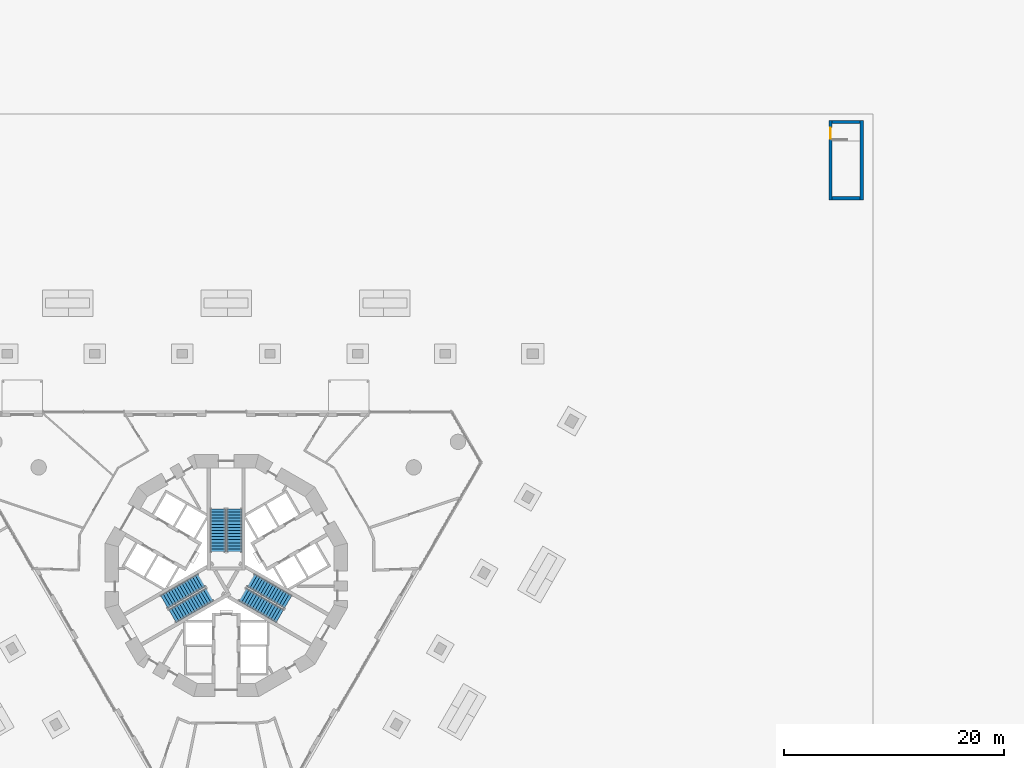
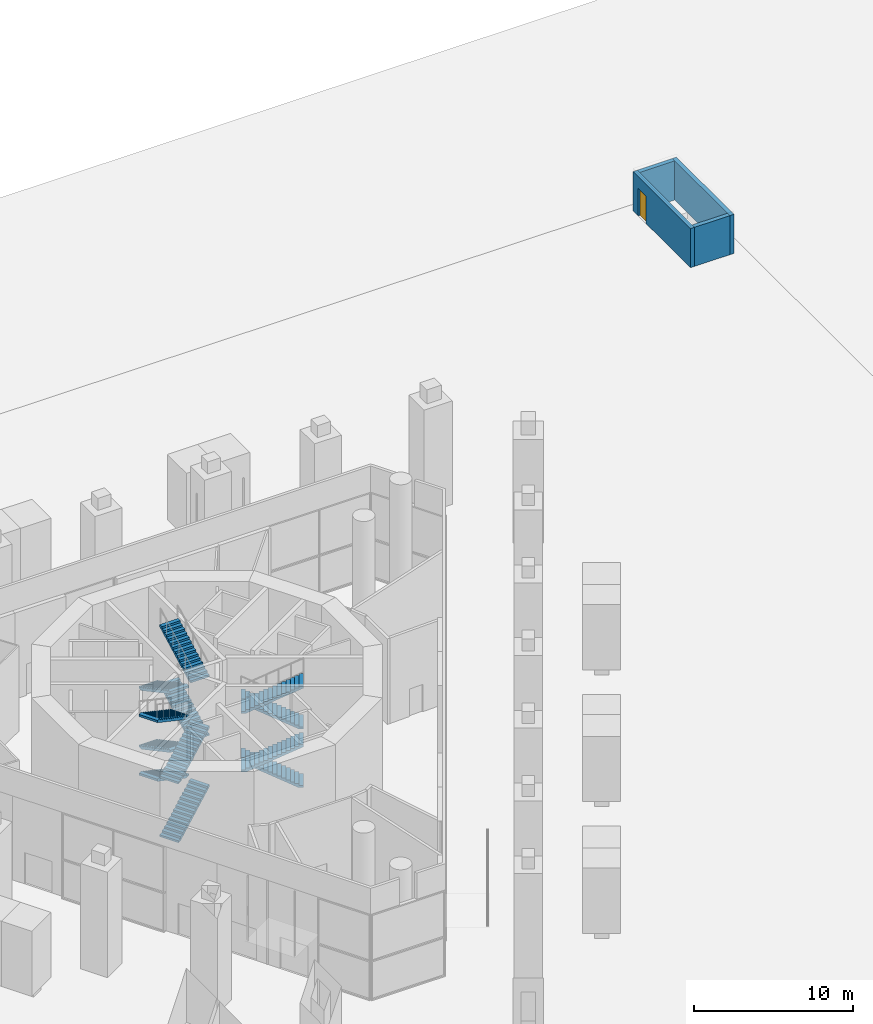
# One storey, part 12 of 26: 12 stair flights, 4 walls, 1 door, 1 opening, 3 elements without a shape of their own.
"""IFC4 building model written with IfcOpenShell, lengths in metres."""

from ifc_helpers import new_model, si_unit, direction, frame, frame_2d, origin, place, context, subcontext, project, spatial, polyline, rectangle, outline, extrude, material, layer, layer_set, type_object, element, fill, aggregate, save


model = new_model("IFC4")

# Units and contexts
model_context = context("Model", 3, precision=1e-05, world=origin(), true_north=direction((0.0, 1.0)))
body_context = subcontext(model_context, "Body", "Model", "MODEL_VIEW")
ifc_project = project(units=[si_unit("LENGTHUNIT", "METRE"), si_unit("AREAUNIT", "SQUARE_METRE"), si_unit("VOLUMEUNIT", "CUBIC_METRE"), si_unit("PLANEANGLEUNIT", "RADIAN"), si_unit("MASSUNIT", "GRAM", prefix="KILO")], contexts=[model_context])

# Site, building, storey
site_placement = place(None, origin())
site = spatial("IfcSite", under=ifc_project, at=site_placement, CompositionType="ELEMENT")
building_placement = place(site_placement, origin())
building = spatial("IfcBuilding", under=site, at=building_placement, Name="Trine Commons Tower", CompositionType="ELEMENT")
storey_placement = place(building_placement, origin())
storey = spatial("IfcBuildingStorey", under=building, at=storey_placement, Name="L00", CompositionType="ELEMENT", Elevation=0.0)

# Wall, opening, door
ifc_material_1 = material(Name="Concrete C40/50", Category="concrete")
ifc_layer = layer(ifc_material_1, 0.300048828125)
ifc_layer_set = layer_set([ifc_layer], Name="Concrete C40/50")
wall_type = type_object("IfcWallType", Name="RC stair enclosure wall 300 mm, C40/50", PredefinedType="SHEAR", material=ifc_layer_set)
wall_1_placement = place(storey_placement, frame((134.949951171875, 103.89990234375, 0.0), z_axis=(0.0, 0.0, 1.0), x_axis=(0.0, -1.0, 0.0)))
wall_1 = element("IfcWall", 1, at=wall_1_placement, inside=storey, type_object=wall_type, Name="Stair STB4 enclosure wall L00", PredefinedType="SHEAR", context=body_context, shape_type="SweptSolid", body=[
    extrude(rectangle(XDim=7.219970703125, YDim=0.300048828125, at=frame_2d((3.60986328125, 0.0))), origin(), (0.0, 0.0, 1.0), 3.0),
])
opening_placement = place(wall_1_placement, frame((0.64990234375, 0.0, 0.0)))
opening = element("IfcOpeningElement", 2, at=opening_placement, cuts=wall_1, Name="Opening D-S12", PredefinedType="OPENING", context=body_context, shape_type="SweptSolid", body=[
    extrude(rectangle(XDim=1.0, YDim=2.10009765625, at=frame_2d((0.5, 1.050048828125))), frame((0.0, 0.159912109375, 0.0), z_axis=(0.0, -1.0, 0.0), x_axis=(1.0, 0.0, 0.0)), (0.0, 0.0, 1.0), 0.320068359375),
])
ifc_material_2 = material(Name="Steel fire door FD90S", Category="steel")
door_type = type_object("IfcDoorType", Name="Fire door 1000 x 2100, FD90S", OperationType="SINGLE_SWING_LEFT", PredefinedType="DOOR", material=ifc_material_2)
door_placement = place(opening_placement, origin())
door = element("IfcDoor", 3, at=door_placement, inside=storey, type_object=door_type, Name="Stair STB4 door L00", OperationType="SINGLE_SWING_LEFT", OverallHeight=2.10009765625, OverallWidth=1.0, PredefinedType="DOOR", context=body_context, shape_type="SweptSolid", body=[
    extrude(rectangle(XDim=1.0, YDim=2.10009765625, at=frame_2d((0.5, 1.050048828125))), frame((0.0, 0.02490234375, 0.0), z_axis=(0.0, -1.0, 0.0), x_axis=(1.0, 0.0, 0.0)), (0.0, 0.0, 1.0), 0.050048828125),
])
fill(opening, door)

# Walls
wall_2_placement = place(storey_placement, frame((137.800048828125, 103.89990234375, 0.0), z_axis=(0.0, 0.0, 1.0), x_axis=(0.0, -1.0, 0.0)))
element("IfcWall", 4, at=wall_2_placement, inside=storey, type_object=wall_type, Name="Stair STB4 enclosure wall L00", PredefinedType="SHEAR", context=body_context, shape_type="SweptSolid", body=[
    extrude(rectangle(XDim=7.219970703125, YDim=0.300048828125, at=frame_2d((3.60986328125, 0.0))), origin(), (0.0, 0.0, 1.0), 3.0),
])
for number, where, z_axis, x_axis, name in (
    (5, (135.10009765625, 103.75, 0.0), (0.0, 0.0, 1.0), (1.0, 0.0, 0.0), "Stair STB4 enclosure wall L00"),
    (6, (135.10009765625, 96.830078125, 0.0), (0.0, 0.0, 1.0), (1.0, 0.0, 0.0), "Stair STB4 enclosure wall L00"),
):
    element("IfcWall", number, at=place(storey_placement, frame(where, z_axis=z_axis, x_axis=x_axis)), inside=storey, type_object=wall_type, Name=name, PredefinedType="SHEAR", context=body_context, shape_type="SweptSolid", body=[
        extrude(rectangle(XDim=2.5498046875, YDim=0.300048828125, at=frame_2d((1.27490234375, 0.0))), origin(), (0.0, 0.0, 1.0), 3.0),
    ])

# Stair, stair flights
ifc_material_3 = material(Name="Concrete C50/60", Category="concrete")
stair_type = type_object("IfcStairType", Name="Exit stair, dog-leg, 60 risers of 150 mm", PredefinedType="HALF_TURN_STAIR", material=ifc_material_3)
stair_1_placement = place(storey_placement, origin())
stair_1 = element("IfcStair", 7, at=stair_1_placement, inside=storey, type_object=stair_type, Name="L00 Exit stair ST1A", PredefinedType="HALF_TURN_STAIR")
stair_flight_type = type_object("IfcStairFlightType", Name="Stair flight, 1350 wide, 15 risers of 150 mm", PredefinedType="STRAIGHT", material=ifc_material_3)
stair_flight_1_placement = place(storey_placement, frame((79.25, 68.570556640625, 0.0), z_axis=(0.0, 0.0, 1.0), x_axis=(0.0, -1.0, 0.0)))
stair_flight_1 = element("IfcStairFlight", 8, at=stair_flight_1_placement, type_object=stair_flight_type, Name="ST1A flight 1", NumberOfRisers=15, NumberOfTreads=14, PredefinedType="STRAIGHT", RiserHeight=0.15, TreadLength=0.28, context=body_context, shape_type="SweptSolid", body=[
    extrude(outline(polyline([(0.0, 0.0), (0.0, 0.14990234375), (0.280029296875, 0.14990234375), (0.280029296875, 0.300048828125), (0.56005859375, 0.300048828125), (0.56005859375, 0.449951171875), (0.840087890625, 0.449951171875), (0.840087890625, 0.60009765625), (1.1201171875, 0.60009765625), (1.1201171875, 0.75), (1.39990234375, 0.75), (1.39990234375, 0.89990234375), (1.679931640625, 0.89990234375), (1.679931640625, 1.050048828125), (1.9599609375, 1.050048828125), (1.9599609375, 1.199951171875), (2.239990234375, 1.199951171875), (2.239990234375, 1.35009765625), (2.52001953125, 1.35009765625), (2.52001953125, 1.5), (2.800048828125, 1.5), (2.800048828125, 1.64990234375), (3.080078125, 1.64990234375), (3.080078125, 1.800048828125), (3.360107421875, 1.800048828125), (3.360107421875, 1.949951171875), (3.639892578125, 1.949951171875), (3.639892578125, 2.10009765625), (3.919921875, 2.10009765625), (3.919921875, 2.25), (3.919921875, 1.929931640625), (0.3173828125, 0.0), (0.0, 0.0)])), frame((0.0, 0.675048828125, 0.0), z_axis=(0.0, -1.0, 0.0), x_axis=(1.0, 0.0, 0.0)), (0.0, 0.0, 1.0), 1.35009765625),
])
stair_flight_2_placement = place(storey_placement, frame((80.75, 64.650634765625, 2.25), z_axis=(0.0, 0.0, 1.0), x_axis=(0.0, 1.0, 0.0)))
stair_flight_2 = element("IfcStairFlight", 9, at=stair_flight_2_placement, type_object=stair_flight_type, Name="ST1A flight 2", NumberOfRisers=15, NumberOfTreads=14, PredefinedType="STRAIGHT", RiserHeight=0.15, TreadLength=0.28, context=body_context, shape_type="SweptSolid", body=[
    extrude(outline(polyline([(0.0, 0.0), (0.0, 0.14990234375), (0.280029296875, 0.14990234375), (0.280029296875, 0.300048828125), (0.56005859375, 0.300048828125), (0.56005859375, 0.449951171875), (0.840087890625, 0.449951171875), (0.840087890625, 0.60009765625), (1.1201171875, 0.60009765625), (1.1201171875, 0.75), (1.39990234375, 0.75), (1.39990234375, 0.89990234375), (1.679931640625, 0.89990234375), (1.679931640625, 1.050048828125), (1.9599609375, 1.050048828125), (1.9599609375, 1.199951171875), (2.239990234375, 1.199951171875), (2.239990234375, 1.35009765625), (2.52001953125, 1.35009765625), (2.52001953125, 1.5), (2.800048828125, 1.5), (2.800048828125, 1.64990234375), (3.080078125, 1.64990234375), (3.080078125, 1.800048828125), (3.360107421875, 1.800048828125), (3.360107421875, 1.949951171875), (3.639892578125, 1.949951171875), (3.639892578125, 2.10009765625), (3.919921875, 2.10009765625), (3.919921875, 2.25), (3.919921875, 1.929931640625), (0.3173828125, 0.0), (0.0, 0.0)])), frame((0.0, 0.675048828125, 0.0), z_axis=(0.0, -1.0, 0.0), x_axis=(1.0, 0.0, 0.0)), (0.0, 0.0, 1.0), 1.35009765625),
])
stair_flight_3_placement = place(storey_placement, frame((79.25, 68.570556640625, 4.5), z_axis=(0.0, 0.0, 1.0), x_axis=(0.0, -1.0, 0.0)))
stair_flight_3 = element("IfcStairFlight", 10, at=stair_flight_3_placement, type_object=stair_flight_type, Name="ST1A flight 3", NumberOfRisers=15, NumberOfTreads=14, PredefinedType="STRAIGHT", RiserHeight=0.15, TreadLength=0.28, context=body_context, shape_type="SweptSolid", body=[
    extrude(outline(polyline([(0.0, 0.0), (0.0, 0.14990234375), (0.280029296875, 0.14990234375), (0.280029296875, 0.300048828125), (0.56005859375, 0.300048828125), (0.56005859375, 0.449951171875), (0.840087890625, 0.449951171875), (0.840087890625, 0.60009765625), (1.1201171875, 0.60009765625), (1.1201171875, 0.75), (1.39990234375, 0.75), (1.39990234375, 0.89990234375), (1.679931640625, 0.89990234375), (1.679931640625, 1.050048828125), (1.9599609375, 1.050048828125), (1.9599609375, 1.199951171875), (2.239990234375, 1.199951171875), (2.239990234375, 1.35009765625), (2.52001953125, 1.35009765625), (2.52001953125, 1.5), (2.800048828125, 1.5), (2.800048828125, 1.64990234375), (3.080078125, 1.64990234375), (3.080078125, 1.800048828125), (3.360107421875, 1.800048828125), (3.360107421875, 1.949951171875), (3.639892578125, 1.949951171875), (3.639892578125, 2.10009765625), (3.919921875, 2.10009765625), (3.919921875, 2.25), (3.919921875, 1.929931640625), (0.3173828125, 0.0), (0.0, 0.0)])), frame((0.0, 0.675048828125, 0.0), z_axis=(0.0, -1.0, 0.0), x_axis=(1.0, 0.0, 0.0)), (0.0, 0.0, 1.0), 1.35009765625),
])
stair_flight_4_placement = place(storey_placement, frame((80.75, 64.650634765625, 6.75), z_axis=(0.0, 0.0, 1.0), x_axis=(0.0, 1.0, 0.0)))
stair_flight_4 = element("IfcStairFlight", 11, at=stair_flight_4_placement, type_object=stair_flight_type, Name="ST1A flight 4", NumberOfRisers=15, NumberOfTreads=14, PredefinedType="STRAIGHT", RiserHeight=0.15, TreadLength=0.28, context=body_context, shape_type="SweptSolid", body=[
    extrude(outline(polyline([(0.0, 0.0), (0.0, 0.14990234375), (0.280029296875, 0.14990234375), (0.280029296875, 0.300048828125), (0.56005859375, 0.300048828125), (0.56005859375, 0.449951171875), (0.840087890625, 0.449951171875), (0.840087890625, 0.60009765625), (1.1201171875, 0.60009765625), (1.1201171875, 0.75), (1.39990234375, 0.75), (1.39990234375, 0.89990234375), (1.679931640625, 0.89990234375), (1.679931640625, 1.050048828125), (1.9599609375, 1.050048828125), (1.9599609375, 1.199951171875), (2.239990234375, 1.199951171875), (2.239990234375, 1.35009765625), (2.52001953125, 1.35009765625), (2.52001953125, 1.5), (2.800048828125, 1.5), (2.800048828125, 1.64990234375), (3.080078125, 1.64990234375), (3.080078125, 1.800048828125), (3.360107421875, 1.800048828125), (3.360107421875, 1.949951171875), (3.639892578125, 1.949951171875), (3.639892578125, 2.10009765625), (3.919921875, 2.10009765625), (3.919921875, 2.25), (3.919921875, 1.929931640625), (0.3173828125, 0.0), (0.0, 0.0)])), frame((0.0, 0.675048828125, 0.0), z_axis=(0.0, -1.0, 0.0), x_axis=(1.0, 0.0, 0.0)), (0.0, 0.0, 1.0), 1.35009765625),
])
aggregate(stair_1, [stair_flight_1, stair_flight_2, stair_flight_3, stair_flight_4])

stair_2_placement = place(storey_placement, origin())
stair_2 = element("IfcStair", 12, at=stair_2_placement, inside=storey, type_object=stair_type, Name="L00 Exit stair ST2A", PredefinedType="HALF_TURN_STAIR")
stair_flight_5_placement = place(storey_placement, frame((75.11767578125, 58.815185546875, 0.0), z_axis=(0.0, 0.0, 1.0), x_axis=(0.866025403784, 0.5, 0.0)))
stair_flight_5 = element("IfcStairFlight", 13, at=stair_flight_5_placement, type_object=stair_flight_type, Name="ST2A flight 1", NumberOfRisers=15, NumberOfTreads=14, PredefinedType="STRAIGHT", RiserHeight=0.15, TreadLength=0.28, context=body_context, shape_type="SweptSolid", body=[
    extrude(outline(polyline([(0.0, 0.0), (0.0, 0.14990234375), (0.280029296875, 0.14990234375), (0.280029296875, 0.300048828125), (0.56005859375, 0.300048828125), (0.56005859375, 0.449951171875), (0.840087890625, 0.449951171875), (0.840087890625, 0.60009765625), (1.1201171875, 0.60009765625), (1.1201171875, 0.75), (1.39990234375, 0.75), (1.39990234375, 0.89990234375), (1.679931640625, 0.89990234375), (1.679931640625, 1.050048828125), (1.9599609375, 1.050048828125), (1.9599609375, 1.199951171875), (2.239990234375, 1.199951171875), (2.239990234375, 1.35009765625), (2.52001953125, 1.35009765625), (2.52001953125, 1.5), (2.800048828125, 1.5), (2.800048828125, 1.64990234375), (3.080078125, 1.64990234375), (3.080078125, 1.800048828125), (3.360107421875, 1.800048828125), (3.360107421875, 1.949951171875), (3.639892578125, 1.949951171875), (3.639892578125, 2.10009765625), (3.919921875, 2.10009765625), (3.919921875, 2.25), (3.919921875, 1.929931640625), (0.3173828125, 0.0), (0.0, 0.0)])), frame((0.0, 0.675048828125, 0.0), z_axis=(0.0, -1.0, 0.0), x_axis=(1.0, 0.0, 0.0)), (0.0, 0.0, 1.0), 1.35009765625),
])
stair_flight_6_placement = place(storey_placement, frame((77.762451171875, 62.07421875, 2.25), z_axis=(0.0, 0.0, 1.0), x_axis=(-0.866025403784, -0.5, 0.0)))
stair_flight_6 = element("IfcStairFlight", 14, at=stair_flight_6_placement, type_object=stair_flight_type, Name="ST2A flight 2", NumberOfRisers=15, NumberOfTreads=14, PredefinedType="STRAIGHT", RiserHeight=0.15, TreadLength=0.28, context=body_context, shape_type="SweptSolid", body=[
    extrude(outline(polyline([(0.0, 0.0), (0.0, 0.14990234375), (0.280029296875, 0.14990234375), (0.280029296875, 0.300048828125), (0.56005859375, 0.300048828125), (0.56005859375, 0.449951171875), (0.840087890625, 0.449951171875), (0.840087890625, 0.60009765625), (1.1201171875, 0.60009765625), (1.1201171875, 0.75), (1.39990234375, 0.75), (1.39990234375, 0.89990234375), (1.679931640625, 0.89990234375), (1.679931640625, 1.050048828125), (1.9599609375, 1.050048828125), (1.9599609375, 1.199951171875), (2.239990234375, 1.199951171875), (2.239990234375, 1.35009765625), (2.52001953125, 1.35009765625), (2.52001953125, 1.5), (2.800048828125, 1.5), (2.800048828125, 1.64990234375), (3.080078125, 1.64990234375), (3.080078125, 1.800048828125), (3.360107421875, 1.800048828125), (3.360107421875, 1.949951171875), (3.639892578125, 1.949951171875), (3.639892578125, 2.10009765625), (3.919921875, 2.10009765625), (3.919921875, 2.25), (3.919921875, 1.929931640625), (0.3173828125, 0.0), (0.0, 0.0)])), frame((0.0, 0.675048828125, 0.0), z_axis=(0.0, -1.0, 0.0), x_axis=(1.0, 0.0, 0.0)), (0.0, 0.0, 1.0), 1.35009765625),
])
stair_flight_7_placement = place(storey_placement, frame((75.11767578125, 58.815185546875, 4.5), z_axis=(0.0, 0.0, 1.0), x_axis=(0.866025403784, 0.5, 0.0)))
stair_flight_7 = element("IfcStairFlight", 15, at=stair_flight_7_placement, type_object=stair_flight_type, Name="ST2A flight 3", NumberOfRisers=15, NumberOfTreads=14, PredefinedType="STRAIGHT", RiserHeight=0.15, TreadLength=0.28, context=body_context, shape_type="SweptSolid", body=[
    extrude(outline(polyline([(0.0, 0.0), (0.0, 0.14990234375), (0.280029296875, 0.14990234375), (0.280029296875, 0.300048828125), (0.56005859375, 0.300048828125), (0.56005859375, 0.449951171875), (0.840087890625, 0.449951171875), (0.840087890625, 0.60009765625), (1.1201171875, 0.60009765625), (1.1201171875, 0.75), (1.39990234375, 0.75), (1.39990234375, 0.89990234375), (1.679931640625, 0.89990234375), (1.679931640625, 1.050048828125), (1.9599609375, 1.050048828125), (1.9599609375, 1.199951171875), (2.239990234375, 1.199951171875), (2.239990234375, 1.35009765625), (2.52001953125, 1.35009765625), (2.52001953125, 1.5), (2.800048828125, 1.5), (2.800048828125, 1.64990234375), (3.080078125, 1.64990234375), (3.080078125, 1.800048828125), (3.360107421875, 1.800048828125), (3.360107421875, 1.949951171875), (3.639892578125, 1.949951171875), (3.639892578125, 2.10009765625), (3.919921875, 2.10009765625), (3.919921875, 2.25), (3.919921875, 1.929931640625), (0.3173828125, 0.0), (0.0, 0.0)])), frame((0.0, 0.675048828125, 0.0), z_axis=(0.0, -1.0, 0.0), x_axis=(1.0, 0.0, 0.0)), (0.0, 0.0, 1.0), 1.35009765625),
])
stair_flight_8_placement = place(storey_placement, frame((77.762451171875, 62.07421875, 6.75), z_axis=(0.0, 0.0, 1.0), x_axis=(-0.866025403784, -0.5, 0.0)))
stair_flight_8 = element("IfcStairFlight", 16, at=stair_flight_8_placement, type_object=stair_flight_type, Name="ST2A flight 4", NumberOfRisers=15, NumberOfTreads=14, PredefinedType="STRAIGHT", RiserHeight=0.15, TreadLength=0.28, context=body_context, shape_type="SweptSolid", body=[
    extrude(outline(polyline([(0.0, 0.0), (0.0, 0.14990234375), (0.280029296875, 0.14990234375), (0.280029296875, 0.300048828125), (0.56005859375, 0.300048828125), (0.56005859375, 0.449951171875), (0.840087890625, 0.449951171875), (0.840087890625, 0.60009765625), (1.1201171875, 0.60009765625), (1.1201171875, 0.75), (1.39990234375, 0.75), (1.39990234375, 0.89990234375), (1.679931640625, 0.89990234375), (1.679931640625, 1.050048828125), (1.9599609375, 1.050048828125), (1.9599609375, 1.199951171875), (2.239990234375, 1.199951171875), (2.239990234375, 1.35009765625), (2.52001953125, 1.35009765625), (2.52001953125, 1.5), (2.800048828125, 1.5), (2.800048828125, 1.64990234375), (3.080078125, 1.64990234375), (3.080078125, 1.800048828125), (3.360107421875, 1.800048828125), (3.360107421875, 1.949951171875), (3.639892578125, 1.949951171875), (3.639892578125, 2.10009765625), (3.919921875, 2.10009765625), (3.919921875, 2.25), (3.919921875, 1.929931640625), (0.3173828125, 0.0), (0.0, 0.0)])), frame((0.0, 0.675048828125, 0.0), z_axis=(0.0, -1.0, 0.0), x_axis=(1.0, 0.0, 0.0)), (0.0, 0.0, 1.0), 1.35009765625),
])
aggregate(stair_2, [stair_flight_5, stair_flight_6, stair_flight_7, stair_flight_8])

stair_3_placement = place(storey_placement, origin())
stair_3 = element("IfcStair", 17, at=stair_3_placement, inside=storey, type_object=stair_type, Name="L00 Exit stair ST3A", PredefinedType="HALF_TURN_STAIR")
stair_flight_9_placement = place(storey_placement, frame((85.63232421875, 60.1142578125, 0.0), z_axis=(0.0, 0.0, 1.0), x_axis=(-0.866025403784, 0.5, 0.0)))
stair_flight_9 = element("IfcStairFlight", 18, at=stair_flight_9_placement, type_object=stair_flight_type, Name="ST3A flight 1", NumberOfRisers=15, NumberOfTreads=14, PredefinedType="STRAIGHT", RiserHeight=0.15, TreadLength=0.28, context=body_context, shape_type="SweptSolid", body=[
    extrude(outline(polyline([(0.0, 0.0), (0.0, 0.14990234375), (0.280029296875, 0.14990234375), (0.280029296875, 0.300048828125), (0.56005859375, 0.300048828125), (0.56005859375, 0.449951171875), (0.840087890625, 0.449951171875), (0.840087890625, 0.60009765625), (1.1201171875, 0.60009765625), (1.1201171875, 0.75), (1.39990234375, 0.75), (1.39990234375, 0.89990234375), (1.679931640625, 0.89990234375), (1.679931640625, 1.050048828125), (1.9599609375, 1.050048828125), (1.9599609375, 1.199951171875), (2.239990234375, 1.199951171875), (2.239990234375, 1.35009765625), (2.52001953125, 1.35009765625), (2.52001953125, 1.5), (2.800048828125, 1.5), (2.800048828125, 1.64990234375), (3.080078125, 1.64990234375), (3.080078125, 1.800048828125), (3.360107421875, 1.800048828125), (3.360107421875, 1.949951171875), (3.639892578125, 1.949951171875), (3.639892578125, 2.10009765625), (3.919921875, 2.10009765625), (3.919921875, 2.25), (3.919921875, 1.929931640625), (0.3173828125, 0.0), (0.0, 0.0)])), frame((0.0, 0.675048828125, 0.0), z_axis=(0.0, -1.0, 0.0), x_axis=(1.0, 0.0, 0.0)), (0.0, 0.0, 1.0), 1.35009765625),
])
stair_flight_10_placement = place(storey_placement, frame((81.487548828125, 60.775146484375, 2.25), z_axis=(0.0, 0.0, 1.0), x_axis=(0.866025403784, -0.5, 0.0)))
stair_flight_10 = element("IfcStairFlight", 19, at=stair_flight_10_placement, type_object=stair_flight_type, Name="ST3A flight 2", NumberOfRisers=15, NumberOfTreads=14, PredefinedType="STRAIGHT", RiserHeight=0.15, TreadLength=0.28, context=body_context, shape_type="SweptSolid", body=[
    extrude(outline(polyline([(0.0, 0.0), (0.0, 0.14990234375), (0.280029296875, 0.14990234375), (0.280029296875, 0.300048828125), (0.56005859375, 0.300048828125), (0.56005859375, 0.449951171875), (0.840087890625, 0.449951171875), (0.840087890625, 0.60009765625), (1.1201171875, 0.60009765625), (1.1201171875, 0.75), (1.39990234375, 0.75), (1.39990234375, 0.89990234375), (1.679931640625, 0.89990234375), (1.679931640625, 1.050048828125), (1.9599609375, 1.050048828125), (1.9599609375, 1.199951171875), (2.239990234375, 1.199951171875), (2.239990234375, 1.35009765625), (2.52001953125, 1.35009765625), (2.52001953125, 1.5), (2.800048828125, 1.5), (2.800048828125, 1.64990234375), (3.080078125, 1.64990234375), (3.080078125, 1.800048828125), (3.360107421875, 1.800048828125), (3.360107421875, 1.949951171875), (3.639892578125, 1.949951171875), (3.639892578125, 2.10009765625), (3.919921875, 2.10009765625), (3.919921875, 2.25), (3.919921875, 1.929931640625), (0.3173828125, 0.0), (0.0, 0.0)])), frame((0.0, 0.675048828125, 0.0), z_axis=(0.0, -1.0, 0.0), x_axis=(1.0, 0.0, 0.0)), (0.0, 0.0, 1.0), 1.35009765625),
])
stair_flight_11_placement = place(storey_placement, frame((85.63232421875, 60.1142578125, 4.5), z_axis=(0.0, 0.0, 1.0), x_axis=(-0.866025403784, 0.5, 0.0)))
stair_flight_11 = element("IfcStairFlight", 20, at=stair_flight_11_placement, type_object=stair_flight_type, Name="ST3A flight 3", NumberOfRisers=15, NumberOfTreads=14, PredefinedType="STRAIGHT", RiserHeight=0.15, TreadLength=0.28, context=body_context, shape_type="SweptSolid", body=[
    extrude(outline(polyline([(0.0, 0.0), (0.0, 0.14990234375), (0.280029296875, 0.14990234375), (0.280029296875, 0.300048828125), (0.56005859375, 0.300048828125), (0.56005859375, 0.449951171875), (0.840087890625, 0.449951171875), (0.840087890625, 0.60009765625), (1.1201171875, 0.60009765625), (1.1201171875, 0.75), (1.39990234375, 0.75), (1.39990234375, 0.89990234375), (1.679931640625, 0.89990234375), (1.679931640625, 1.050048828125), (1.9599609375, 1.050048828125), (1.9599609375, 1.199951171875), (2.239990234375, 1.199951171875), (2.239990234375, 1.35009765625), (2.52001953125, 1.35009765625), (2.52001953125, 1.5), (2.800048828125, 1.5), (2.800048828125, 1.64990234375), (3.080078125, 1.64990234375), (3.080078125, 1.800048828125), (3.360107421875, 1.800048828125), (3.360107421875, 1.949951171875), (3.639892578125, 1.949951171875), (3.639892578125, 2.10009765625), (3.919921875, 2.10009765625), (3.919921875, 2.25), (3.919921875, 1.929931640625), (0.3173828125, 0.0), (0.0, 0.0)])), frame((0.0, 0.675048828125, 0.0), z_axis=(0.0, -1.0, 0.0), x_axis=(1.0, 0.0, 0.0)), (0.0, 0.0, 1.0), 1.35009765625),
])
stair_flight_12_placement = place(storey_placement, frame((81.487548828125, 60.775146484375, 6.75), z_axis=(0.0, 0.0, 1.0), x_axis=(0.866025403784, -0.5, 0.0)))
stair_flight_12 = element("IfcStairFlight", 21, at=stair_flight_12_placement, type_object=stair_flight_type, Name="ST3A flight 4", NumberOfRisers=15, NumberOfTreads=14, PredefinedType="STRAIGHT", RiserHeight=0.15, TreadLength=0.28, context=body_context, shape_type="SweptSolid", body=[
    extrude(outline(polyline([(0.0, 0.0), (0.0, 0.14990234375), (0.280029296875, 0.14990234375), (0.280029296875, 0.300048828125), (0.56005859375, 0.300048828125), (0.56005859375, 0.449951171875), (0.840087890625, 0.449951171875), (0.840087890625, 0.60009765625), (1.1201171875, 0.60009765625), (1.1201171875, 0.75), (1.39990234375, 0.75), (1.39990234375, 0.89990234375), (1.679931640625, 0.89990234375), (1.679931640625, 1.050048828125), (1.9599609375, 1.050048828125), (1.9599609375, 1.199951171875), (2.239990234375, 1.199951171875), (2.239990234375, 1.35009765625), (2.52001953125, 1.35009765625), (2.52001953125, 1.5), (2.800048828125, 1.5), (2.800048828125, 1.64990234375), (3.080078125, 1.64990234375), (3.080078125, 1.800048828125), (3.360107421875, 1.800048828125), (3.360107421875, 1.949951171875), (3.639892578125, 1.949951171875), (3.639892578125, 2.10009765625), (3.919921875, 2.10009765625), (3.919921875, 2.25), (3.919921875, 1.929931640625), (0.3173828125, 0.0), (0.0, 0.0)])), frame((0.0, 0.675048828125, 0.0), z_axis=(0.0, -1.0, 0.0), x_axis=(1.0, 0.0, 0.0)), (0.0, 0.0, 1.0), 1.35009765625),
])
aggregate(stair_3, [stair_flight_9, stair_flight_10, stair_flight_11, stair_flight_12])

save(model, "model.ifc")
